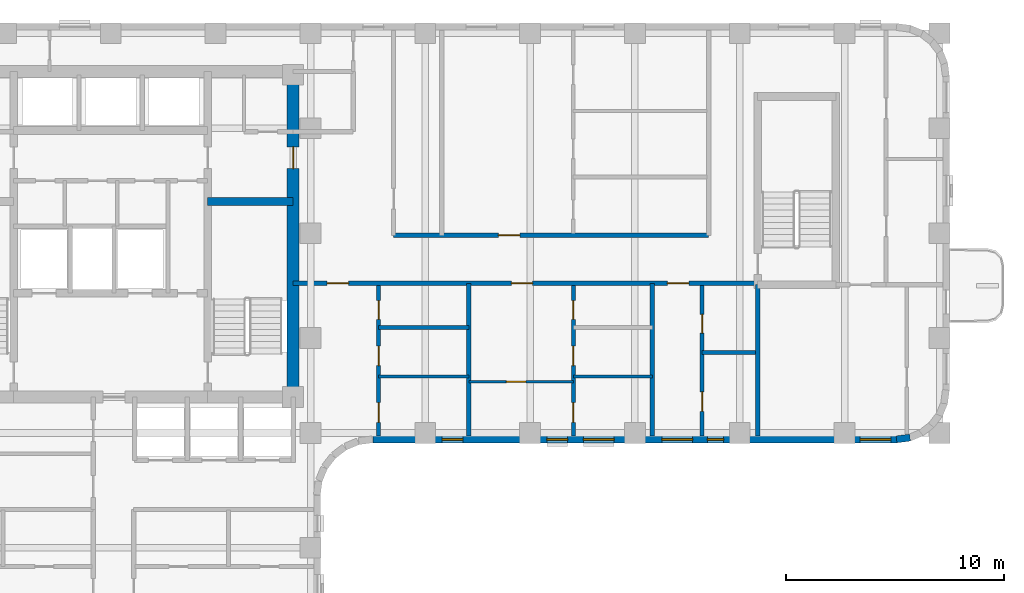
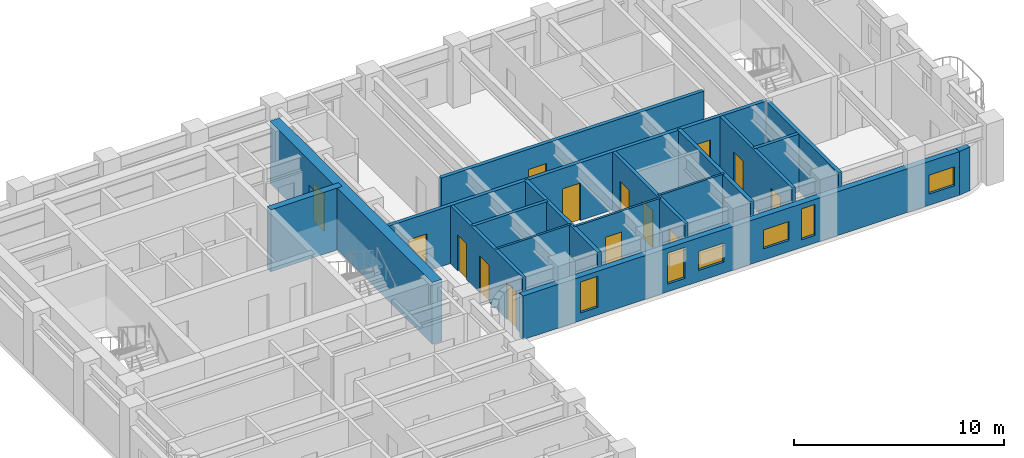
# One storey, part 5 of 10: 17 walls, 14 doors, 6 windows, 20 openings.
"""IFC4 building model written with IfcOpenShell, lengths in metres."""

from ifc_helpers import new_model, si_unit, direction, frame, frame_2d, origin, place, context, subcontext, project, spatial, rectangle, extrude, material, layer, layer_set, type_object, element, fill, save


model = new_model("IFC4")

# Units and contexts
model_context = context("Model", 3, precision=1e-05, world=origin(), true_north=direction((0.0, 1.0)))
body_context = subcontext(model_context, "Body", "Model", "MODEL_VIEW")
ifc_project = project(units=[si_unit("LENGTHUNIT", "METRE"), si_unit("AREAUNIT", "SQUARE_METRE"), si_unit("VOLUMEUNIT", "CUBIC_METRE"), si_unit("PLANEANGLEUNIT", "RADIAN"), si_unit("MASSUNIT", "GRAM", prefix="KILO")], contexts=[model_context])

# Site, building, storey
site_placement = place(None, origin())
site = spatial("IfcSite", under=ifc_project, at=site_placement, CompositionType="ELEMENT")
building_placement = place(site_placement, origin())
building = spatial("IfcBuilding", under=site, at=building_placement, Name="Orvandelia Arch Residences", CompositionType="ELEMENT")
storey_placement = place(building_placement, frame((0.0, 0.0, 118.0)))
storey = spatial("IfcBuildingStorey", under=building, at=storey_placement, Name="L30", CompositionType="ELEMENT", Elevation=118.0)

# Wall
ifc_material_1 = material(Name="Concrete C50/60", Category="concrete")
ifc_layer_1 = layer(ifc_material_1, 0.35009765625, Name="Concrete C50/60", Category="concrete")
ifc_layer_set_1 = layer_set([ifc_layer_1], Name="Concrete C50/60")
wall_type_1 = type_object("IfcWallType", Name="WL-CORE-350", PredefinedType="SHEAR", material=ifc_layer_set_1)
wall_1_placement = place(storey_placement, frame((18.840087890625, 39.85009765625, 0.0), z_axis=(0.0, 0.0, 1.0), x_axis=(1.0, 0.0, 0.0)))
element("IfcWall", 1, at=wall_1_placement, inside=storey, type_object=wall_type_1, Name="Core Shear Wall L30-HZ2", PredefinedType="SHEAR", context=body_context, shape_type="SweptSolid", body=[
    extrude(rectangle(XDim=3.909912109375, YDim=0.35009765625, at=frame_2d((1.955078125, 0.0))), origin(), (0.0, 0.0, 1.0), 3.60009765625),
])

# Wall, opening, door
ifc_material_2 = material(Name="Concrete C60/75", Category="concrete")
ifc_layer_2 = layer(ifc_material_2, 0.550048828125, Name="Concrete C60/75", Category="concrete")
ifc_layer_set_2 = layer_set([ifc_layer_2], Name="Concrete C60/75")
wall_type_2 = type_object("IfcWallType", Name="WL-CORE-550", PredefinedType="SHEAR", material=ifc_layer_set_2)
wall_2_placement = place(storey_placement, frame((22.75, 30.625, 0.0), z_axis=(0.0, 0.0, 1.0), x_axis=(0.0, 1.0, 0.0)))
wall_2 = element("IfcWall", 2, at=wall_2_placement, inside=storey, type_object=wall_type_2, Name="Core Shear Wall L30-E", PredefinedType="SHEAR", context=body_context, shape_type="SweptSolid", body=[
    extrude(rectangle(XDim=15.449951171875, YDim=0.550048828125, at=frame_2d((7.72509765625, 0.0))), origin(), (0.0, 0.0, 1.0), 3.60009765625),
])
opening_1_placement = place(wall_2_placement, frame((10.72509765625, 0.0, 0.0)))
opening_1 = element("IfcOpeningElement", 3, at=opening_1_placement, cuts=wall_2, Name="Opening D6", PredefinedType="OPENING", context=body_context, shape_type="SweptSolid", body=[
    extrude(rectangle(XDim=1.0, YDim=2.14990234375, at=frame_2d((0.5, 1.074951171875))), frame((0.0, 0.28515625, 0.0), z_axis=(0.0, -1.0, 0.0), x_axis=(1.0, 0.0, 0.0)), (0.0, 0.0, 1.0), 0.570068359375),
])
ifc_material_3 = material(Name="Smokeproof Painted Steel Fire Door", Category="steel")
door_type_1 = type_object("IfcDoorType", Name="DR-FD60-1000", OperationType="NOTDEFINED", PredefinedType="DOOR", material=ifc_material_3)
door_1_placement = place(opening_1_placement, origin())
door_1 = element("IfcDoor", 4, at=door_1_placement, inside=storey, type_object=door_type_1, Name="Core East Corridor Link Door L30", OperationType="SINGLE_SWING_LEFT", OverallHeight=2.14990234375, OverallWidth=1.0, PredefinedType="DOOR", context=body_context, shape_type="SweptSolid", body=[
    extrude(rectangle(XDim=1.0, YDim=2.14990234375, at=frame_2d((0.5, 1.074951171875))), frame((0.0, 0.02490234375, 0.0), z_axis=(0.0, -1.0, 0.0), x_axis=(1.0, 0.0, 0.0)), (0.0, 0.0, 1.0), 0.050048828125),
])
fill(opening_1, door_1)

# Wall, openings, doors
ifc_material_4 = material(Name="Fire-Rated Corridor Partition")
ifc_layer_3 = layer(ifc_material_4, 0.199951171875, Name="Fire-Rated Corridor Partition")
ifc_layer_set_3 = layer_set([ifc_layer_3], Name="Fire-Rated Corridor Partition")
wall_type_3 = type_object("IfcWallType", Name="WL-CORR-200", PredefinedType="PARTITIONING", material=ifc_layer_set_3)
wall_3_placement = place(storey_placement, frame((22.75, 36.10009765625, 0.0), z_axis=(0.0, 0.0, 1.0), x_axis=(1.0, 0.0, 0.0)))
wall_3 = element("IfcWall", 5, at=wall_3_placement, inside=storey, type_object=wall_type_3, Name="Interior Partition Wall WL-L30-EM-S1", PredefinedType="PARTITIONING", context=body_context, shape_type="SweptSolid", body=[
    extrude(rectangle(XDim=21.27001953125, YDim=0.199951171875, at=frame_2d((10.635009765625, 0.0))), origin(), (0.0, 0.0, 1.0), 3.360107421875),
])
opening_2_placement = place(wall_3_placement, frame((1.5595703125, 0.0, 0.0)))
opening_2 = element("IfcOpeningElement", 6, at=opening_2_placement, cuts=wall_3, Name="Opening D1", PredefinedType="OPENING", context=body_context, shape_type="SweptSolid", body=[
    extrude(rectangle(XDim=0.97998046875, YDim=2.179931640625, at=frame_2d((0.489990234375, 1.08984375))), frame((0.0, 0.10986328125, 0.0), z_axis=(0.0, -1.0, 0.0), x_axis=(1.0, 0.0, 0.0)), (0.0, 0.0, 1.0), 0.219970703125),
])
opening_3_placement = place(wall_3_placement, frame((9.992431640625, 0.0, 0.0)))
opening_3 = element("IfcOpeningElement", 7, at=opening_3_placement, cuts=wall_3, Name="Opening D1", PredefinedType="OPENING", context=body_context, shape_type="SweptSolid", body=[
    extrude(rectangle(XDim=0.97998046875, YDim=2.179931640625, at=frame_2d((0.489990234375, 1.08984375))), frame((0.0, 0.10986328125, 0.0), z_axis=(0.0, -1.0, 0.0), x_axis=(1.0, 0.0, 0.0)), (0.0, 0.0, 1.0), 0.219970703125),
])
opening_4_placement = place(wall_3_placement, frame((17.139892578125, 0.0, 0.0)))
opening_4 = element("IfcOpeningElement", 8, at=opening_4_placement, cuts=wall_3, Name="Opening D1", PredefinedType="OPENING", context=body_context, shape_type="SweptSolid", body=[
    extrude(rectangle(XDim=0.97998046875, YDim=2.179931640625, at=frame_2d((0.489990234375, 1.08984375))), frame((0.0, 0.10986328125, 0.0), z_axis=(0.0, -1.0, 0.0), x_axis=(1.0, 0.0, 0.0)), (0.0, 0.0, 1.0), 0.219970703125),
])
ifc_material_5 = material(Name="Solid-Core Timber Acoustic Fire Door", Category="wood")
door_type_2 = type_object("IfcDoorType", Name="DR-ENT-980", OperationType="NOTDEFINED", PredefinedType="DOOR", material=ifc_material_5)
door_2_placement = place(opening_2_placement, origin())
door_2 = element("IfcDoor", 9, at=door_2_placement, inside=storey, type_object=door_type_2, Name="Unit L30-07 Entrance Door", OperationType="SINGLE_SWING_LEFT", OverallHeight=2.179931640625, OverallWidth=0.97998046875, PredefinedType="DOOR", context=body_context, shape_type="SweptSolid", body=[
    extrude(rectangle(XDim=0.97998046875, YDim=2.179931640625, at=frame_2d((0.489990234375, 1.08984375))), frame((0.0, 0.02490234375, 0.0), z_axis=(0.0, -1.0, 0.0), x_axis=(1.0, 0.0, 0.0)), (0.0, 0.0, 1.0), 0.050048828125),
])
fill(opening_2, door_2)
door_3_placement = place(opening_3_placement, origin())
door_3 = element("IfcDoor", 10, at=door_3_placement, inside=storey, type_object=door_type_2, Name="Unit L30-08 Entrance Door", OperationType="SINGLE_SWING_RIGHT", OverallHeight=2.179931640625, OverallWidth=0.97998046875, PredefinedType="DOOR", context=body_context, shape_type="SweptSolid", body=[
    extrude(rectangle(XDim=0.97998046875, YDim=2.179931640625, at=frame_2d((0.489990234375, 1.08984375))), frame((0.0, 0.02490234375, 0.0), z_axis=(0.0, -1.0, 0.0), x_axis=(1.0, 0.0, 0.0)), (0.0, 0.0, 1.0), 0.050048828125),
])
fill(opening_3, door_3)
door_4_placement = place(opening_4_placement, origin())
door_4 = element("IfcDoor", 11, at=door_4_placement, inside=storey, type_object=door_type_2, Name="Unit L30-09 Entrance Door", OperationType="SINGLE_SWING_LEFT", OverallHeight=2.179931640625, OverallWidth=0.97998046875, PredefinedType="DOOR", context=body_context, shape_type="SweptSolid", body=[
    extrude(rectangle(XDim=0.97998046875, YDim=2.179931640625, at=frame_2d((0.489990234375, 1.08984375))), frame((0.0, 0.02490234375, 0.0), z_axis=(0.0, -1.0, 0.0), x_axis=(1.0, 0.0, 0.0)), (0.0, 0.0, 1.0), 0.050048828125),
])
fill(opening_4, door_4)

# Wall, opening, door
wall_4_placement = place(storey_placement, frame((27.35009765625, 38.300048828125, 0.0), z_axis=(0.0, 0.0, 1.0), x_axis=(1.0, 0.0, 0.0)))
wall_4 = element("IfcWall", 12, at=wall_4_placement, inside=storey, type_object=wall_type_3, Name="Interior Partition Wall WL-L30-EM-N", PredefinedType="PARTITIONING", context=body_context, shape_type="SweptSolid", body=[
    extrude(rectangle(XDim=14.429931640625, YDim=0.199951171875, at=frame_2d((7.21484375, 0.0))), origin(), (0.0, 0.0, 1.0), 3.360107421875),
])
opening_5_placement = place(wall_4_placement, frame((4.803466796875, 0.0, 0.0)))
opening_5 = element("IfcOpeningElement", 13, at=opening_5_placement, cuts=wall_4, Name="Opening D1", PredefinedType="OPENING", context=body_context, shape_type="SweptSolid", body=[
    extrude(rectangle(XDim=0.97998046875, YDim=2.179931640625, at=frame_2d((0.489990234375, 1.08984375))), frame((0.0, 0.10986328125, 0.0), z_axis=(0.0, -1.0, 0.0), x_axis=(1.0, 0.0, 0.0)), (0.0, 0.0, 1.0), 0.219970703125),
])
door_5_placement = place(opening_5_placement, origin())
door_5 = element("IfcDoor", 14, at=door_5_placement, inside=storey, type_object=door_type_2, Name="Unit L30-10 Entrance Door", OperationType="SINGLE_SWING_RIGHT", OverallHeight=2.179931640625, OverallWidth=0.97998046875, PredefinedType="DOOR", context=body_context, shape_type="SweptSolid", body=[
    extrude(rectangle(XDim=0.97998046875, YDim=2.179931640625, at=frame_2d((0.489990234375, 1.08984375))), frame((0.0, 0.02490234375, 0.0), z_axis=(0.0, -1.0, 0.0), x_axis=(1.0, 0.0, 0.0)), (0.0, 0.0, 1.0), 0.050048828125),
])
fill(opening_5, door_5)

# Walls
ifc_material_6 = material(Name="Concrete C40/50", Category="concrete")
ifc_layer_4 = layer(ifc_material_6, 0.199951171875, Name="Concrete C40/50", Category="concrete")
ifc_layer_set_4 = layer_set([ifc_layer_4], Name="Concrete C40/50")
wall_type_4 = type_object("IfcWallType", Name="WL-DEM-200", PredefinedType="SOLIDWALL", material=ifc_layer_set_4)
for number, where, z_axis, x_axis, name in (
    (15, (30.800048828125, 29.1201171875, 0.0), (0.0, 0.0, 1.0), (0.0, 1.0, 0.0), "Interior Partition Wall WL-L30-DEM-EMS-308"),
    (16, (39.199951171875, 29.1201171875, 0.0), (0.0, 0.0, 1.0), (0.0, 1.0, 0.0), "Interior Partition Wall WL-L30-DEM-EMS-392"),
):
    element("IfcWall", number, at=place(storey_placement, frame(where, z_axis=z_axis, x_axis=x_axis)), inside=storey, type_object=wall_type_4, Name=name, PredefinedType="SOLIDWALL", context=body_context, shape_type="SweptSolid", body=[
        extrude(rectangle(XDim=6.97998046875, YDim=0.199951171875, at=frame_2d((3.489990234375, 0.0))), origin(), (0.0, 0.0, 1.0), 3.360107421875),
    ])
wall_5_placement = place(storey_placement, frame((44.02001953125, 29.1201171875, 0.0), z_axis=(0.0, 0.0, 1.0), x_axis=(0.0, 1.0, 0.0)))
element("IfcWall", 17, at=wall_5_placement, inside=storey, type_object=wall_type_4, Name="Interior Partition Wall WL-L30-EMS3-W", PredefinedType="SOLIDWALL", context=body_context, shape_type="SweptSolid", body=[
    extrude(rectangle(XDim=6.919921875, YDim=0.199951171875, at=frame_2d((3.4599609375, 0.0))), origin(), (0.0, 0.0, 1.0), 3.360107421875),
])
ifc_material_7 = material(Name="Precast concrete C40/50", Category="concrete")
ifc_layer_5 = layer(ifc_material_7, 0.320068359375, Name="Precast concrete C40/50", Category="concrete")
ifc_layer_set_5 = layer_set([ifc_layer_5], Name="Precast concrete C40/50")
wall_type_5 = type_object("IfcWallType", Name="WL-EXT-STONE-320", PredefinedType="STANDARD", material=ifc_layer_set_5)
wall_6_placement = place(storey_placement, frame((51.000244140625, 29.040283203125, 0.0), z_axis=(0.0, 0.0, 1.0), x_axis=(-0.9914410257, -0.130555323746, 0.0)))
element("IfcWall", 18, at=wall_6_placement, inside=storey, type_object=wall_type_5, Name="Coral-Limestone Precast Facade Wall L30-020", PredefinedType="STANDARD", context=body_context, shape_type="SweptSolid", body=[
    extrude(rectangle(XDim=0.62646484375, YDim=0.320068359375, at=frame_2d((0.313232421875, 0.0))), origin(), (0.0, 0.0, 1.0), 2.5400390625),
])

# Wall, openings, windows
wall_7_placement = place(storey_placement, frame((50.39990234375, 28.9599609375, 0.0), z_axis=(0.0, 0.0, 1.0), x_axis=(-1.0, 0.0, 0.0)))
wall_7 = element("IfcWall", 19, at=wall_7_placement, inside=storey, type_object=wall_type_5, Name="Coral-Limestone Precast Facade Wall L30-021", PredefinedType="STANDARD", context=body_context, shape_type="SweptSolid", body=[
    extrude(rectangle(XDim=24.0, YDim=0.320068359375, at=frame_2d((12.0, 0.0))), origin(), (0.0, 0.0, 1.0), 2.5400390625),
])
opening_6_placement = place(wall_7_placement, frame((19.87744140625, 0.0, 0.449951171875)))
opening_6 = element("IfcOpeningElement", 20, at=opening_6_placement, cuts=wall_7, Name="Opening W4", PredefinedType="OPENING", context=body_context, shape_type="SweptSolid", body=[
    extrude(rectangle(XDim=0.949951171875, YDim=1.800048828125, at=frame_2d((0.47509765625, 0.89990234375))), frame((0.0, 0.169921875, 0.0), z_axis=(0.0, -1.0, 0.0), x_axis=(1.0, 0.0, 0.0)), (0.0, 0.0, 1.0), 0.340087890625),
])
opening_7_placement = place(wall_7_placement, frame((12.955078125, 0.0, 0.64990234375)))
opening_7 = element("IfcOpeningElement", 21, at=opening_7_placement, cuts=wall_7, Name="Opening W10", PredefinedType="OPENING", context=body_context, shape_type="SweptSolid", body=[
    extrude(rectangle(XDim=1.39990234375, YDim=1.10009765625, at=frame_2d((0.699951171875, 0.550048828125))), frame((0.0, 0.169921875, 0.0), z_axis=(0.0, -1.0, 0.0), x_axis=(1.0, 0.0, 0.0)), (0.0, 0.0, 1.0), 0.340087890625),
])
opening_8_placement = place(wall_7_placement, frame((9.360107421875, 0.0, 0.64990234375)))
opening_8 = element("IfcOpeningElement", 22, at=opening_8_placement, cuts=wall_7, Name="Opening W10", PredefinedType="OPENING", context=body_context, shape_type="SweptSolid", body=[
    extrude(rectangle(XDim=1.39990234375, YDim=1.10009765625, at=frame_2d((0.699951171875, 0.550048828125))), frame((0.0, 0.169921875, 0.0), z_axis=(0.0, -1.0, 0.0), x_axis=(1.0, 0.0, 0.0)), (0.0, 0.0, 1.0), 0.340087890625),
])
opening_9_placement = place(wall_7_placement, frame((0.282470703125, 0.0, 0.64990234375)))
opening_9 = element("IfcOpeningElement", 23, at=opening_9_placement, cuts=wall_7, Name="Opening W10", PredefinedType="OPENING", context=body_context, shape_type="SweptSolid", body=[
    extrude(rectangle(XDim=1.39990234375, YDim=1.10009765625, at=frame_2d((0.699951171875, 0.550048828125))), frame((0.0, 0.169921875, 0.0), z_axis=(0.0, -1.0, 0.0), x_axis=(1.0, 0.0, 0.0)), (0.0, 0.0, 1.0), 0.340087890625),
])
opening_10_placement = place(wall_7_placement, frame((15.0849609375, 0.0, 0.449951171875)))
opening_10 = element("IfcOpeningElement", 24, at=opening_10_placement, cuts=wall_7, Name="Opening W4", PredefinedType="OPENING", context=body_context, shape_type="SweptSolid", body=[
    extrude(rectangle(XDim=0.949951171875, YDim=1.800048828125, at=frame_2d((0.47509765625, 0.89990234375))), frame((0.0, 0.169921875, 0.0), z_axis=(0.0, -1.0, 0.0), x_axis=(1.0, 0.0, 0.0)), (0.0, 0.0, 1.0), 0.340087890625),
])
opening_11_placement = place(wall_7_placement, frame((7.9326171875, 0.0, 0.449951171875)))
opening_11 = element("IfcOpeningElement", 25, at=opening_11_placement, cuts=wall_7, Name="Opening W11", PredefinedType="OPENING", context=body_context, shape_type="SweptSolid", body=[
    extrude(rectangle(XDim=0.75, YDim=1.800048828125, at=frame_2d((0.375, 0.89990234375))), frame((0.0, 0.169921875, 0.0), z_axis=(0.0, -1.0, 0.0), x_axis=(1.0, 0.0, 0.0)), (0.0, 0.0, 1.0), 0.340087890625),
])
ifc_material_8 = material(Name="Tempered Low-E Insulated Glazing", Category="glass")
window_type_1 = type_object("IfcWindowType", Name="WIN-BED-0750x1800", PartitioningType="SINGLE_PANEL", PredefinedType="WINDOW", material=ifc_material_8)
window_1_placement = place(opening_11_placement, origin())
window_1 = element("IfcWindow", 26, at=window_1_placement, inside=storey, type_object=window_type_1, Name="Recessed Punched Window L30-016", OverallHeight=1.800048828125, OverallWidth=0.75, PartitioningType="SINGLE_PANEL", PredefinedType="WINDOW", context=body_context, shape_type="SweptSolid", body=[
    extrude(rectangle(XDim=0.75, YDim=1.800048828125, at=frame_2d((0.375, 0.89990234375))), frame((0.0, 0.030029296875, 0.0), z_axis=(0.0, -1.0, 0.0), x_axis=(1.0, 0.0, 0.0)), (0.0, 0.0, 1.0), 0.06005859375),
])
fill(opening_11, window_1)
window_type_2 = type_object("IfcWindowType", Name="WIN-CLR-1400x1100", PartitioningType="SINGLE_PANEL", PredefinedType="WINDOW", material=ifc_material_8)
window_2_placement = place(opening_7_placement, origin())
window_2 = element("IfcWindow", 27, at=window_2_placement, inside=storey, type_object=window_type_2, Name="Recessed Punched Window L30-012", OverallHeight=1.10009765625, OverallWidth=1.39990234375, PartitioningType="SINGLE_PANEL", PredefinedType="WINDOW", context=body_context, shape_type="SweptSolid", body=[
    extrude(rectangle(XDim=1.39990234375, YDim=1.10009765625, at=frame_2d((0.699951171875, 0.550048828125))), frame((0.0, 0.030029296875, 0.0), z_axis=(0.0, -1.0, 0.0), x_axis=(1.0, 0.0, 0.0)), (0.0, 0.0, 1.0), 0.06005859375),
])
fill(opening_7, window_2)
window_3_placement = place(opening_8_placement, origin())
window_3 = element("IfcWindow", 28, at=window_3_placement, inside=storey, type_object=window_type_2, Name="Recessed Punched Window L30-013", OverallHeight=1.10009765625, OverallWidth=1.39990234375, PartitioningType="SINGLE_PANEL", PredefinedType="WINDOW", context=body_context, shape_type="SweptSolid", body=[
    extrude(rectangle(XDim=1.39990234375, YDim=1.10009765625, at=frame_2d((0.699951171875, 0.550048828125))), frame((0.0, 0.030029296875, 0.0), z_axis=(0.0, -1.0, 0.0), x_axis=(1.0, 0.0, 0.0)), (0.0, 0.0, 1.0), 0.06005859375),
])
fill(opening_8, window_3)
window_4_placement = place(opening_9_placement, origin())
window_4 = element("IfcWindow", 29, at=window_4_placement, inside=storey, type_object=window_type_2, Name="Recessed Punched Window L30-014", OverallHeight=1.10009765625, OverallWidth=1.39990234375, PartitioningType="SINGLE_PANEL", PredefinedType="WINDOW", context=body_context, shape_type="SweptSolid", body=[
    extrude(rectangle(XDim=1.39990234375, YDim=1.10009765625, at=frame_2d((0.699951171875, 0.550048828125))), frame((0.0, 0.030029296875, 0.0), z_axis=(0.0, -1.0, 0.0), x_axis=(1.0, 0.0, 0.0)), (0.0, 0.0, 1.0), 0.06005859375),
])
fill(opening_9, window_4)
window_type_3 = type_object("IfcWindowType", Name="WIN-RES-0950x1800", PartitioningType="SINGLE_PANEL", PredefinedType="WINDOW", material=ifc_material_8)
window_5_placement = place(opening_6_placement, origin())
window_5 = element("IfcWindow", 30, at=window_5_placement, inside=storey, type_object=window_type_3, Name="Recessed Punched Window L30-011", OverallHeight=1.800048828125, OverallWidth=0.949951171875, PartitioningType="SINGLE_PANEL", PredefinedType="WINDOW", context=body_context, shape_type="SweptSolid", body=[
    extrude(rectangle(XDim=0.949951171875, YDim=1.800048828125, at=frame_2d((0.47509765625, 0.89990234375))), frame((0.0, 0.030029296875, 0.0), z_axis=(0.0, -1.0, 0.0), x_axis=(1.0, 0.0, 0.0)), (0.0, 0.0, 1.0), 0.06005859375),
])
fill(opening_6, window_5)
window_6_placement = place(opening_10_placement, origin())
window_6 = element("IfcWindow", 31, at=window_6_placement, inside=storey, type_object=window_type_3, Name="Recessed Punched Window L30-015", OverallHeight=1.800048828125, OverallWidth=0.949951171875, PartitioningType="SINGLE_PANEL", PredefinedType="WINDOW", context=body_context, shape_type="SweptSolid", body=[
    extrude(rectangle(XDim=0.949951171875, YDim=1.800048828125, at=frame_2d((0.47509765625, 0.89990234375))), frame((0.0, 0.030029296875, 0.0), z_axis=(0.0, -1.0, 0.0), x_axis=(1.0, 0.0, 0.0)), (0.0, 0.0, 1.0), 0.06005859375),
])
fill(opening_10, window_6)

# Wall
ifc_material_9 = material(Name="Lightweight Gypsum Stud Partition")
ifc_layer_6 = layer(ifc_material_9, 0.1201171875, Name="Lightweight Gypsum Stud Partition")
ifc_layer_set_6 = layer_set([ifc_layer_6], Name="Lightweight Gypsum Stud Partition")
wall_type_6 = type_object("IfcWallType", Name="WL-PART-120", PredefinedType="PARTITIONING", material=ifc_layer_set_6)
wall_8_placement = place(storey_placement, frame((26.6689453125, 31.8359375, 0.0), z_axis=(0.0, 0.0, 1.0), x_axis=(1.0, 0.0, 0.0)))
element("IfcWall", 32, at=wall_8_placement, inside=storey, type_object=wall_type_6, Name="Interior Partition Wall WL-L30-U07-H1", PredefinedType="PARTITIONING", context=body_context, shape_type="SweptSolid", body=[
    extrude(rectangle(XDim=4.131103515625, YDim=0.1201171875, at=frame_2d((2.0654296875, 0.0))), origin(), (0.0, 0.0, 1.0), 3.360107421875),
])

# Wall, opening, door
wall_9_placement = place(storey_placement, frame((30.800048828125, 31.595947265625, 0.0), z_axis=(0.0, 0.0, 1.0), x_axis=(1.0, 0.0, 0.0)))
wall_9 = element("IfcWall", 33, at=wall_9_placement, inside=storey, type_object=wall_type_6, Name="Interior Partition Wall WL-L30-U08-DIN", PredefinedType="PARTITIONING", context=body_context, shape_type="SweptSolid", body=[
    extrude(rectangle(XDim=4.784912109375, YDim=0.1201171875, at=frame_2d((2.392578125, 0.0))), origin(), (0.0, 0.0, 1.0), 3.360107421875),
])
opening_12_placement = place(wall_9_placement, frame((1.71240234375, 0.0, 0.0)))
opening_12 = element("IfcOpeningElement", 34, at=opening_12_placement, cuts=wall_9, Name="Opening D3", PredefinedType="OPENING", context=body_context, shape_type="SweptSolid", body=[
    extrude(rectangle(XDim=0.89990234375, YDim=2.14990234375, at=frame_2d((0.449951171875, 1.074951171875))), frame((0.0, 0.070068359375, 0.0), z_axis=(0.0, -1.0, 0.0), x_axis=(1.0, 0.0, 0.0)), (0.0, 0.0, 1.0), 0.14013671875),
])
ifc_material_10 = material(Name="Engineered Timber Flush Door", Category="wood")
door_type_3 = type_object("IfcDoorType", Name="DR-INT-900", OperationType="NOTDEFINED", PredefinedType="DOOR", material=ifc_material_10)
door_6_placement = place(opening_12_placement, origin())
door_6 = element("IfcDoor", 35, at=door_6_placement, inside=storey, type_object=door_type_3, Name="DR-L30-U08-DIN", OperationType="SINGLE_SWING_LEFT", OverallHeight=2.14990234375, OverallWidth=0.89990234375, PredefinedType="DOOR", context=body_context, shape_type="SweptSolid", body=[
    extrude(rectangle(XDim=0.89990234375, YDim=2.14990234375, at=frame_2d((0.449951171875, 1.074951171875))), frame((0.0, 0.02490234375, 0.0), z_axis=(0.0, -1.0, 0.0), x_axis=(1.0, 0.0, 0.0)), (0.0, 0.0, 1.0), 0.050048828125),
])
fill(opening_12, door_6)

# Wall
wall_10_placement = place(storey_placement, frame((35.5849609375, 31.8359375, 0.0), z_axis=(0.0, 0.0, 1.0), x_axis=(1.0, 0.0, 0.0)))
element("IfcWall", 36, at=wall_10_placement, inside=storey, type_object=wall_type_6, Name="Interior Partition Wall WL-L30-U08-H1", PredefinedType="PARTITIONING", context=body_context, shape_type="SweptSolid", body=[
    extrude(rectangle(XDim=3.614990234375, YDim=0.1201171875, at=frame_2d((1.8076171875, 0.0))), origin(), (0.0, 0.0, 1.0), 3.360107421875),
])

# Wall, openings, doors
ifc_material_11 = material(Name="Moisture-Resistant Plumbing Wall")
ifc_layer_7 = layer(ifc_material_11, 0.179931640625, Name="Moisture-Resistant Plumbing Wall")
ifc_layer_set_7 = layer_set([ifc_layer_7], Name="Moisture-Resistant Plumbing Wall")
wall_type_7 = type_object("IfcWallType", Name="WL-WET-180", PredefinedType="PLUMBINGWALL", material=ifc_layer_set_7)
wall_11_placement = place(storey_placement, frame((26.6689453125, 29.1201171875, 0.0), z_axis=(0.0, 0.0, 1.0), x_axis=(0.0, 1.0, 0.0)))
wall_11 = element("IfcWall", 37, at=wall_11_placement, inside=storey, type_object=wall_type_7, Name="Interior Partition Wall WL-L30-U07-VT", PredefinedType="PLUMBINGWALL", context=body_context, shape_type="SweptSolid", body=[
    extrude(rectangle(XDim=6.8798828125, YDim=0.179931640625, at=frame_2d((3.43994140625, 0.0))), origin(), (0.0, 0.0, 1.0), 3.360107421875),
])
opening_13_placement = place(wall_11_placement, frame((0.61669921875, 0.0, 0.0)))
opening_13 = element("IfcOpeningElement", 38, at=opening_13_placement, cuts=wall_11, Name="Opening D3", PredefinedType="OPENING", context=body_context, shape_type="SweptSolid", body=[
    extrude(rectangle(XDim=0.89990234375, YDim=2.14990234375, at=frame_2d((0.449951171875, 1.074951171875))), frame((0.0, 0.10009765625, 0.0), z_axis=(0.0, -1.0, 0.0), x_axis=(1.0, 0.0, 0.0)), (0.0, 0.0, 1.0), 0.199951171875),
])
opening_14_placement = place(wall_11_placement, frame((3.21044921875, 0.0, 0.0)))
opening_14 = element("IfcOpeningElement", 39, at=opening_14_placement, cuts=wall_11, Name="Opening D3", PredefinedType="OPENING", context=body_context, shape_type="SweptSolid", body=[
    extrude(rectangle(XDim=0.89990234375, YDim=2.14990234375, at=frame_2d((0.449951171875, 1.074951171875))), frame((0.0, 0.10009765625, 0.0), z_axis=(0.0, -1.0, 0.0), x_axis=(1.0, 0.0, 0.0)), (0.0, 0.0, 1.0), 0.199951171875),
])
opening_15_placement = place(wall_11_placement, frame((5.331787109375, 0.0, 0.0)))
opening_15 = element("IfcOpeningElement", 40, at=opening_15_placement, cuts=wall_11, Name="Opening D4", PredefinedType="OPENING", context=body_context, shape_type="SweptSolid", body=[
    extrude(rectangle(XDim=0.860107421875, YDim=2.10009765625, at=frame_2d((0.43017578125, 1.050048828125))), frame((0.0, 0.10009765625, 0.0), z_axis=(0.0, -1.0, 0.0), x_axis=(1.0, 0.0, 0.0)), (0.0, 0.0, 1.0), 0.199951171875),
])
door_7_placement = place(opening_13_placement, origin())
door_7 = element("IfcDoor", 41, at=door_7_placement, inside=storey, type_object=door_type_3, Name="DR-L30-U07-BD1", OperationType="SINGLE_SWING_LEFT", OverallHeight=2.14990234375, OverallWidth=0.89990234375, PredefinedType="DOOR", context=body_context, shape_type="SweptSolid", body=[
    extrude(rectangle(XDim=0.89990234375, YDim=2.14990234375, at=frame_2d((0.449951171875, 1.074951171875))), frame((0.0, 0.02490234375, 0.0), z_axis=(0.0, -1.0, 0.0), x_axis=(1.0, 0.0, 0.0)), (0.0, 0.0, 1.0), 0.050048828125),
])
fill(opening_13, door_7)
door_8_placement = place(opening_14_placement, origin())
door_8 = element("IfcDoor", 42, at=door_8_placement, inside=storey, type_object=door_type_3, Name="DR-L30-U07-KIT", OperationType="SINGLE_SWING_RIGHT", OverallHeight=2.14990234375, OverallWidth=0.89990234375, PredefinedType="DOOR", context=body_context, shape_type="SweptSolid", body=[
    extrude(rectangle(XDim=0.89990234375, YDim=2.14990234375, at=frame_2d((0.449951171875, 1.074951171875))), frame((0.0, 0.02490234375, 0.0), z_axis=(0.0, -1.0, 0.0), x_axis=(1.0, 0.0, 0.0)), (0.0, 0.0, 1.0), 0.050048828125),
])
fill(opening_14, door_8)
ifc_material_12 = material(Name="Moisture-Sealed Timber Bathroom Door", Category="wood")
door_type_4 = type_object("IfcDoorType", Name="DR-WET-900", OperationType="NOTDEFINED", PredefinedType="DOOR", material=ifc_material_12)
door_9_placement = place(opening_15_placement, origin())
door_9 = element("IfcDoor", 43, at=door_9_placement, inside=storey, type_object=door_type_4, Name="DR-L30-U07-BTH", OperationType="SINGLE_SWING_LEFT", OverallHeight=2.10009765625, OverallWidth=0.860107421875, PredefinedType="DOOR", context=body_context, shape_type="SweptSolid", body=[
    extrude(rectangle(XDim=0.860107421875, YDim=2.10009765625, at=frame_2d((0.43017578125, 1.050048828125))), frame((0.0, 0.02490234375, 0.0), z_axis=(0.0, -1.0, 0.0), x_axis=(1.0, 0.0, 0.0)), (0.0, 0.0, 1.0), 0.050048828125),
])
fill(opening_15, door_9)

# Wall
wall_12_placement = place(storey_placement, frame((26.6689453125, 34.0849609375, 0.0), z_axis=(0.0, 0.0, 1.0), x_axis=(1.0, 0.0, 0.0)))
element("IfcWall", 44, at=wall_12_placement, inside=storey, type_object=wall_type_7, Name="Interior Partition Wall WL-L30-U07-H2", PredefinedType="PLUMBINGWALL", context=body_context, shape_type="SweptSolid", body=[
    extrude(rectangle(XDim=4.131103515625, YDim=0.179931640625, at=frame_2d((2.0654296875, 0.0))), origin(), (0.0, 0.0, 1.0), 3.360107421875),
])

# Wall, openings, doors
wall_13_placement = place(storey_placement, frame((35.5849609375, 29.1201171875, 0.0), z_axis=(0.0, 0.0, 1.0), x_axis=(0.0, 1.0, 0.0)))
wall_13 = element("IfcWall", 45, at=wall_13_placement, inside=storey, type_object=wall_type_7, Name="Interior Partition Wall WL-L30-U08-VT", PredefinedType="PLUMBINGWALL", context=body_context, shape_type="SweptSolid", body=[
    extrude(rectangle(XDim=6.8798828125, YDim=0.179931640625, at=frame_2d((3.43994140625, 0.0))), origin(), (0.0, 0.0, 1.0), 3.360107421875),
])
opening_16_placement = place(wall_13_placement, frame((0.61669921875, 0.0, 0.0)))
opening_16 = element("IfcOpeningElement", 46, at=opening_16_placement, cuts=wall_13, Name="Opening D3", PredefinedType="OPENING", context=body_context, shape_type="SweptSolid", body=[
    extrude(rectangle(XDim=0.89990234375, YDim=2.14990234375, at=frame_2d((0.449951171875, 1.074951171875))), frame((0.0, 0.10009765625, 0.0), z_axis=(0.0, -1.0, 0.0), x_axis=(1.0, 0.0, 0.0)), (0.0, 0.0, 1.0), 0.199951171875),
])
opening_17_placement = place(wall_13_placement, frame((3.21044921875, 0.0, 0.0)))
opening_17 = element("IfcOpeningElement", 47, at=opening_17_placement, cuts=wall_13, Name="Opening D3", PredefinedType="OPENING", context=body_context, shape_type="SweptSolid", body=[
    extrude(rectangle(XDim=0.89990234375, YDim=2.14990234375, at=frame_2d((0.449951171875, 1.074951171875))), frame((0.0, 0.10009765625, 0.0), z_axis=(0.0, -1.0, 0.0), x_axis=(1.0, 0.0, 0.0)), (0.0, 0.0, 1.0), 0.199951171875),
])
opening_18_placement = place(wall_13_placement, frame((5.331787109375, 0.0, 0.0)))
opening_18 = element("IfcOpeningElement", 48, at=opening_18_placement, cuts=wall_13, Name="Opening D4", PredefinedType="OPENING", context=body_context, shape_type="SweptSolid", body=[
    extrude(rectangle(XDim=0.860107421875, YDim=2.10009765625, at=frame_2d((0.43017578125, 1.050048828125))), frame((0.0, 0.10009765625, 0.0), z_axis=(0.0, -1.0, 0.0), x_axis=(1.0, 0.0, 0.0)), (0.0, 0.0, 1.0), 0.199951171875),
])
door_10_placement = place(opening_16_placement, origin())
door_10 = element("IfcDoor", 49, at=door_10_placement, inside=storey, type_object=door_type_3, Name="DR-L30-U08-BD1", OperationType="SINGLE_SWING_RIGHT", OverallHeight=2.14990234375, OverallWidth=0.89990234375, PredefinedType="DOOR", context=body_context, shape_type="SweptSolid", body=[
    extrude(rectangle(XDim=0.89990234375, YDim=2.14990234375, at=frame_2d((0.449951171875, 1.074951171875))), frame((0.0, 0.02490234375, 0.0), z_axis=(0.0, -1.0, 0.0), x_axis=(1.0, 0.0, 0.0)), (0.0, 0.0, 1.0), 0.050048828125),
])
fill(opening_16, door_10)
door_11_placement = place(opening_17_placement, origin())
door_11 = element("IfcDoor", 50, at=door_11_placement, inside=storey, type_object=door_type_3, Name="DR-L30-U08-KIT", OperationType="SINGLE_SWING_LEFT", OverallHeight=2.14990234375, OverallWidth=0.89990234375, PredefinedType="DOOR", context=body_context, shape_type="SweptSolid", body=[
    extrude(rectangle(XDim=0.89990234375, YDim=2.14990234375, at=frame_2d((0.449951171875, 1.074951171875))), frame((0.0, 0.02490234375, 0.0), z_axis=(0.0, -1.0, 0.0), x_axis=(1.0, 0.0, 0.0)), (0.0, 0.0, 1.0), 0.050048828125),
])
fill(opening_17, door_11)
door_12_placement = place(opening_18_placement, origin())
door_12 = element("IfcDoor", 51, at=door_12_placement, inside=storey, type_object=door_type_4, Name="DR-L30-U08-BTH", OperationType="SINGLE_SWING_RIGHT", OverallHeight=2.10009765625, OverallWidth=0.860107421875, PredefinedType="DOOR", context=body_context, shape_type="SweptSolid", body=[
    extrude(rectangle(XDim=0.860107421875, YDim=2.10009765625, at=frame_2d((0.43017578125, 1.050048828125))), frame((0.0, 0.02490234375, 0.0), z_axis=(0.0, -1.0, 0.0), x_axis=(1.0, 0.0, 0.0)), (0.0, 0.0, 1.0), 0.050048828125),
])
fill(opening_18, door_12)

wall_14_placement = place(storey_placement, frame((41.47998046875, 29.1201171875, 0.0), z_axis=(0.0, 0.0, 1.0), x_axis=(0.0, 1.0, 0.0)))
wall_14 = element("IfcWall", 52, at=wall_14_placement, inside=storey, type_object=wall_type_7, Name="Interior Partition Wall WL-L30-U09-VT", PredefinedType="PLUMBINGWALL", context=body_context, shape_type="SweptSolid", body=[
    extrude(rectangle(XDim=6.8798828125, YDim=0.179931640625, at=frame_2d((3.43994140625, 0.0))), origin(), (0.0, 0.0, 1.0), 3.360107421875),
])
opening_19_placement = place(wall_14_placement, frame((1.1162109375, 0.0, 0.0)))
opening_19 = element("IfcOpeningElement", 53, at=opening_19_placement, cuts=wall_14, Name="Opening D3", PredefinedType="OPENING", context=body_context, shape_type="SweptSolid", body=[
    extrude(rectangle(XDim=0.89990234375, YDim=2.14990234375, at=frame_2d((0.449951171875, 1.074951171875))), frame((0.0, 0.10009765625, 0.0), z_axis=(0.0, -1.0, 0.0), x_axis=(1.0, 0.0, 0.0)), (0.0, 0.0, 1.0), 0.199951171875),
])
opening_20_placement = place(wall_14_placement, frame((4.705322265625, 0.0, 0.0)))
opening_20 = element("IfcOpeningElement", 54, at=opening_20_placement, cuts=wall_14, Name="Opening D4", PredefinedType="OPENING", context=body_context, shape_type="SweptSolid", body=[
    extrude(rectangle(XDim=0.860107421875, YDim=2.10009765625, at=frame_2d((0.43017578125, 1.050048828125))), frame((0.0, 0.10009765625, 0.0), z_axis=(0.0, -1.0, 0.0), x_axis=(1.0, 0.0, 0.0)), (0.0, 0.0, 1.0), 0.199951171875),
])
door_13_placement = place(opening_19_placement, origin())
door_13 = element("IfcDoor", 55, at=door_13_placement, inside=storey, type_object=door_type_3, Name="DR-L30-U09-KIT", OperationType="SINGLE_SWING_LEFT", OverallHeight=2.14990234375, OverallWidth=0.89990234375, PredefinedType="DOOR", context=body_context, shape_type="SweptSolid", body=[
    extrude(rectangle(XDim=0.89990234375, YDim=2.14990234375, at=frame_2d((0.449951171875, 1.074951171875))), frame((0.0, 0.02490234375, 0.0), z_axis=(0.0, -1.0, 0.0), x_axis=(1.0, 0.0, 0.0)), (0.0, 0.0, 1.0), 0.050048828125),
])
fill(opening_19, door_13)
door_14_placement = place(opening_20_placement, origin())
door_14 = element("IfcDoor", 56, at=door_14_placement, inside=storey, type_object=door_type_4, Name="DR-L30-U09-BTH", OperationType="SINGLE_SWING_RIGHT", OverallHeight=2.10009765625, OverallWidth=0.860107421875, PredefinedType="DOOR", context=body_context, shape_type="SweptSolid", body=[
    extrude(rectangle(XDim=0.860107421875, YDim=2.10009765625, at=frame_2d((0.43017578125, 1.050048828125))), frame((0.0, 0.02490234375, 0.0), z_axis=(0.0, -1.0, 0.0), x_axis=(1.0, 0.0, 0.0)), (0.0, 0.0, 1.0), 0.050048828125),
])
fill(opening_20, door_14)

# Wall
wall_15_placement = place(storey_placement, frame((41.47998046875, 32.946044921875, 0.0), z_axis=(0.0, 0.0, 1.0), x_axis=(1.0, 0.0, 0.0)))
element("IfcWall", 57, at=wall_15_placement, inside=storey, type_object=wall_type_7, Name="Interior Partition Wall WL-L30-U09-H1", PredefinedType="PLUMBINGWALL", context=body_context, shape_type="SweptSolid", body=[
    extrude(rectangle(XDim=2.43994140625, YDim=0.179931640625, at=frame_2d((1.219970703125, 0.0))), origin(), (0.0, 0.0, 1.0), 3.360107421875),
])

save(model, "model.ifc")
